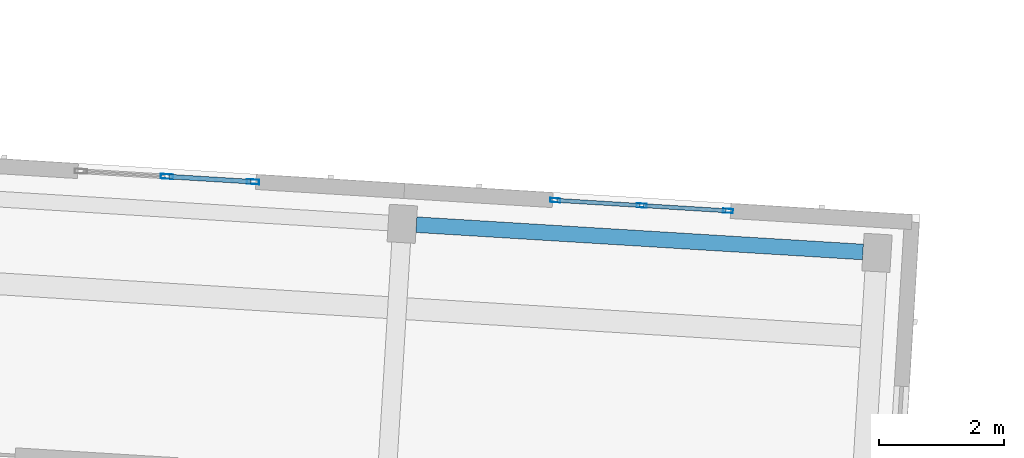
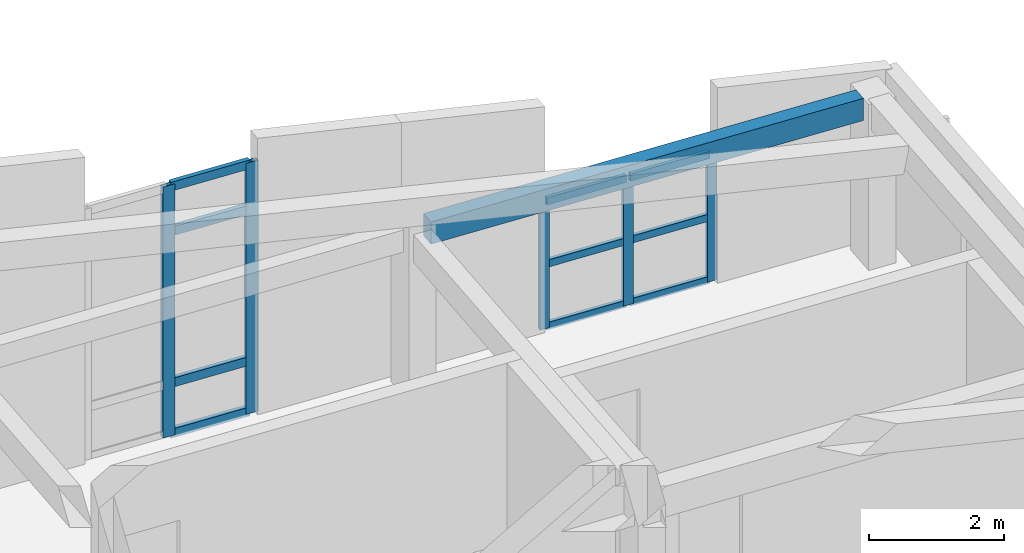
# One storey, part 9 of 45: 15 members, 1 beam, 2 elements without a shape of their own.
"""IFC4 building model written with IfcOpenShell, lengths in metres."""

from ifc_helpers import new_model, si_unit, direction, frame, origin, origin_2d, place, context, subcontext, project, spatial, rectangle, hollow_rectangle, extrude, material, material_profile, profile_set, type_object, element, aggregate, save


model = new_model("IFC4")

# Units and contexts
model_context = context("Model", 3, precision=1e-05, world=origin(), true_north=direction((0.0, 1.0)))
body_context = subcontext(model_context, "Body", "Model", "MODEL_VIEW")
ifc_project = project(units=[si_unit("LENGTHUNIT", "METRE"), si_unit("AREAUNIT", "SQUARE_METRE"), si_unit("VOLUMEUNIT", "CUBIC_METRE"), si_unit("PLANEANGLEUNIT", "RADIAN"), si_unit("MASSUNIT", "GRAM", prefix="KILO")], contexts=[model_context])

# Site, building, storey
site_placement = place(None, origin())
site = spatial("IfcSite", under=ifc_project, at=site_placement, CompositionType="ELEMENT")
building_placement = place(site_placement, origin())
building = spatial("IfcBuilding", under=site, at=building_placement, Name="Kestramere Prow Commons", CompositionType="ELEMENT")
storey_placement = place(building_placement, frame((0.0, 0.0, 31.14990234375)))
storey = spatial("IfcBuildingStorey", under=building, at=storey_placement, Name="L09", CompositionType="ELEMENT", Elevation=31.14990234375)

# Curtain wall, members
ifc_material_1 = material(Name="Anodised Aluminium and Low-E Glass", Category="aluminium")
curtain_wall_type_1 = type_object("IfcCurtainWallType", Name="CW-03 Glazed Curtain Wall 2830x2320", PredefinedType="USERDEFINED", material=ifc_material_1)
curtain_wall_1_placement = place(storey_placement, origin())
curtain_wall_1 = element("IfcCurtainWall", 1, at=curtain_wall_1_placement, inside=storey, type_object=curtain_wall_type_1, Name="Block C L09 Stairwell Vertical Glazing 3", ObjectType="GLAZED CURTAIN WALL", PredefinedType="USERDEFINED")
ifc_material_2 = material(Name="Anodised Aluminium 6063-T6", Category="aluminium")
ifc_material_profile_1 = material_profile(ifc_material_2, hollow_rectangle(XDim=0.06494140625, YDim=0.159912109375, WallThickness=0.00390625, at=origin_2d()), Name="ALU-MUL 65x160")
ifc_profile_set_1 = profile_set([ifc_material_profile_1], Name="Anodised Aluminium 6063-T6")
member_type_1 = type_object("IfcMemberType", Name="CW-MUL-65x160", PredefinedType="MULLION", material=ifc_profile_set_1)
member_1_placement = place(storey_placement, frame((78.313232421875, 65.511962890625, 0.0), z_axis=(0.0, 0.0, 1.0), x_axis=(0.061048399176, 0.998134807007, 0.0)))
member_1 = element("IfcMember", 2, at=member_1_placement, type_object=member_type_1, Name="CW-03 mullion 1", PredefinedType="MULLION", context=body_context, shape_type="SweptSolid", body=[
    extrude(hollow_rectangle(XDim=0.06494140625, YDim=0.159912109375, WallThickness=0.00390625, at=origin_2d()), origin(), (0.0, 0.0, 1.0), 2.320068359375),
])
member_2_placement = place(storey_placement, frame((79.693115234375, 65.427490234375, 0.0), z_axis=(0.0, 0.0, 1.0), x_axis=(0.061048399176, 0.998134807007, 0.0)))
member_2 = element("IfcMember", 3, at=member_2_placement, type_object=member_type_1, Name="CW-03 mullion 2", PredefinedType="MULLION", context=body_context, shape_type="SweptSolid", body=[
    extrude(hollow_rectangle(XDim=0.06494140625, YDim=0.159912109375, WallThickness=0.00390625, at=origin_2d()), origin(), (0.0, 0.0, 1.0), 2.320068359375),
])
member_3_placement = place(storey_placement, frame((81.072998046875, 65.34326171875, 0.0), z_axis=(0.0, 0.0, 1.0), x_axis=(0.061048399176, 0.998134807007, 0.0)))
member_3 = element("IfcMember", 4, at=member_3_placement, type_object=member_type_1, Name="CW-03 mullion 3", PredefinedType="MULLION", context=body_context, shape_type="SweptSolid", body=[
    extrude(hollow_rectangle(XDim=0.06494140625, YDim=0.159912109375, WallThickness=0.00390625, at=origin_2d()), origin(), (0.0, 0.0, 1.0), 2.320068359375),
])

curtain_wall_type_2 = type_object("IfcCurtainWallType", Name="CW-08 Glazed Curtain Wall 2830x4540", PredefinedType="USERDEFINED", material=ifc_material_1)
curtain_wall_2_placement = place(storey_placement, origin())
curtain_wall_2 = element("IfcCurtainWall", 5, at=curtain_wall_2_placement, inside=storey, type_object=curtain_wall_type_2, Name="Block C L09 Stairwell Vertical Glazing 2", ObjectType="GLAZED CURTAIN WALL", PredefinedType="USERDEFINED")
ifc_material_profile_2 = material_profile(ifc_material_2, hollow_rectangle(XDim=0.074951171875, YDim=0.199951171875, WallThickness=0.0048828125, at=origin_2d()), Name="ALU-MUL 75x200")
ifc_profile_set_2 = profile_set([ifc_material_profile_2], Name="Anodised Aluminium 6063-T6")
member_type_2 = type_object("IfcMemberType", Name="CW-MUL-75x200", PredefinedType="MULLION", material=ifc_profile_set_2)
member_4_placement = place(storey_placement, frame((72.107421875, 65.8916015625, 0.0), z_axis=(0.0, 0.0, 1.0), x_axis=(0.061048420708, 0.99813480569, 0.0)))
member_4 = element("IfcMember", 6, at=member_4_placement, type_object=member_type_2, Name="CW-08 mullion 2", PredefinedType="MULLION", context=body_context, shape_type="SweptSolid", body=[
    extrude(hollow_rectangle(XDim=0.074951171875, YDim=0.199951171875, WallThickness=0.0048828125, at=origin_2d()), origin(), (0.0, 0.0, 1.0), 4.535400390625),
])
member_5_placement = place(storey_placement, frame((73.482177734375, 65.807373046875, 0.0), z_axis=(0.0, 0.0, 1.0), x_axis=(0.061048420708, 0.99813480569, 0.0)))
member_5 = element("IfcMember", 7, at=member_5_placement, type_object=member_type_2, Name="CW-08 mullion 3", PredefinedType="MULLION", context=body_context, shape_type="SweptSolid", body=[
    extrude(hollow_rectangle(XDim=0.074951171875, YDim=0.199951171875, WallThickness=0.0048828125, at=origin_2d()), origin(), (0.0, 0.0, 1.0), 4.535400390625),
])

# Member
ifc_material_profile_3 = material_profile(ifc_material_2, hollow_rectangle(XDim=0.06494140625, YDim=0.1298828125, WallThickness=0.00390625, at=origin_2d()), Name="ALU-TRN 65x130")
ifc_profile_set_3 = profile_set([ifc_material_profile_3], Name="Anodised Aluminium 6063-T6")
member_type_3 = type_object("IfcMemberType", Name="CW-TRN-65x130", PredefinedType="USERDEFINED", material=ifc_profile_set_3)
member_6_placement = place(storey_placement, frame((78.345703125, 65.510009765625, 0.03271484375), z_axis=(0.99812826429, -0.061155277983, 0.0), x_axis=(0.061155277983, 0.99812826429, 0.0)))
member_6 = element("IfcMember", 8, at=member_6_placement, type_object=member_type_3, Name="CW-03 transom 1.1", ObjectType="TRANSOM", PredefinedType="USERDEFINED", context=body_context, shape_type="SweptSolid", body=[
    extrude(hollow_rectangle(XDim=0.06494140625, YDim=0.1298828125, WallThickness=0.00390625, at=origin_2d()), origin(), (0.0, 0.0, 1.0), 1.3173828125),
])

member_7_placement = place(storey_placement, frame((78.345703125, 65.510009765625, 1.16015625), z_axis=(0.99812826429, -0.061155277983, 0.0), x_axis=(0.061155277983, 0.99812826429, 0.0)))
member_7 = element("IfcMember", 9, at=member_7_placement, type_object=member_type_3, Name="CW-03 transom 1.2", ObjectType="TRANSOM", PredefinedType="USERDEFINED", context=body_context, shape_type="SweptSolid", body=[
    extrude(hollow_rectangle(XDim=0.06494140625, YDim=0.1298828125, WallThickness=0.00390625, at=origin_2d()), origin(), (0.0, 0.0, 1.0), 1.3173828125),
])

member_8_placement = place(storey_placement, frame((78.345703125, 65.510009765625, 2.28759765625), z_axis=(0.99812826429, -0.061155277983, 0.0), x_axis=(0.061155277983, 0.99812826429, 0.0)))
member_8 = element("IfcMember", 10, at=member_8_placement, type_object=member_type_3, Name="CW-03 transom 1.3", ObjectType="TRANSOM", PredefinedType="USERDEFINED", context=body_context, shape_type="SweptSolid", body=[
    extrude(hollow_rectangle(XDim=0.06494140625, YDim=0.1298828125, WallThickness=0.00390625, at=origin_2d()), origin(), (0.0, 0.0, 1.0), 1.3173828125),
])

member_9_placement = place(storey_placement, frame((79.7255859375, 65.425537109375, 0.03271484375), z_axis=(0.998139559366, -0.06097064891, 0.0), x_axis=(0.06097064891, 0.998139559366, 0.0)))
member_9 = element("IfcMember", 11, at=member_9_placement, type_object=member_type_3, Name="CW-03 transom 2.1", ObjectType="TRANSOM", PredefinedType="USERDEFINED", context=body_context, shape_type="SweptSolid", body=[
    extrude(hollow_rectangle(XDim=0.06494140625, YDim=0.1298828125, WallThickness=0.00390625, at=origin_2d()), origin(), (0.0, 0.0, 1.0), 1.3173828125),
])

member_10_placement = place(storey_placement, frame((79.7255859375, 65.425537109375, 1.16015625), z_axis=(0.998139559366, -0.06097064891, 0.0), x_axis=(0.06097064891, 0.998139559366, 0.0)))
member_10 = element("IfcMember", 12, at=member_10_placement, type_object=member_type_3, Name="CW-03 transom 2.2", ObjectType="TRANSOM", PredefinedType="USERDEFINED", context=body_context, shape_type="SweptSolid", body=[
    extrude(hollow_rectangle(XDim=0.06494140625, YDim=0.1298828125, WallThickness=0.00390625, at=origin_2d()), origin(), (0.0, 0.0, 1.0), 1.3173828125),
])

member_11_placement = place(storey_placement, frame((79.7255859375, 65.425537109375, 2.28759765625), z_axis=(0.998139559366, -0.06097064891, 0.0), x_axis=(0.06097064891, 0.998139559366, 0.0)))
member_11 = element("IfcMember", 13, at=member_11_placement, type_object=member_type_3, Name="CW-03 transom 2.3", ObjectType="TRANSOM", PredefinedType="USERDEFINED", context=body_context, shape_type="SweptSolid", body=[
    extrude(hollow_rectangle(XDim=0.06494140625, YDim=0.1298828125, WallThickness=0.00390625, at=origin_2d()), origin(), (0.0, 0.0, 1.0), 1.3173828125),
])

aggregate(curtain_wall_1, [member_1, member_2, member_3, member_6, member_7, member_8, member_9, member_10, member_11])

ifc_material_profile_4 = material_profile(ifc_material_2, hollow_rectangle(XDim=0.074951171875, YDim=0.159912109375, WallThickness=0.0048828125, at=origin_2d()), Name="ALU-TRN 75x160")
ifc_profile_set_4 = profile_set([ifc_material_profile_4], Name="Anodised Aluminium 6063-T6")
member_type_4 = type_object("IfcMemberType", Name="CW-TRN-75x160", PredefinedType="USERDEFINED", material=ifc_profile_set_4)
member_12_placement = place(storey_placement, frame((72.144775390625, 65.88916015625, 0.03759765625), z_axis=(0.998142682054, -0.060919506416, 0.0), x_axis=(0.060919506416, 0.998142682054, 0.0)))
member_12 = element("IfcMember", 14, at=member_12_placement, type_object=member_type_4, Name="CW-08 transom 2.1", ObjectType="TRANSOM", PredefinedType="USERDEFINED", context=body_context, shape_type="SweptSolid", body=[
    extrude(hollow_rectangle(XDim=0.074951171875, YDim=0.159912109375, WallThickness=0.0048828125, at=origin_2d()), origin(), (0.0, 0.0, 1.0), 1.302490234375),
])

member_13_placement = place(storey_placement, frame((72.144775390625, 65.88916015625, 0.9501953125), z_axis=(0.998142682054, -0.060919506416, 0.0), x_axis=(0.060919506416, 0.998142682054, 0.0)))
member_13 = element("IfcMember", 15, at=member_13_placement, type_object=member_type_4, Name="CW-08 transom 2.2", ObjectType="TRANSOM", PredefinedType="USERDEFINED", context=body_context, shape_type="SweptSolid", body=[
    extrude(hollow_rectangle(XDim=0.074951171875, YDim=0.159912109375, WallThickness=0.0048828125, at=origin_2d()), origin(), (0.0, 0.0, 1.0), 1.302490234375),
])

member_14_placement = place(storey_placement, frame((72.144775390625, 65.88916015625, 3.68505859375), z_axis=(0.998142682054, -0.060919506416, 0.0), x_axis=(0.060919506416, 0.998142682054, 0.0)))
member_14 = element("IfcMember", 16, at=member_14_placement, type_object=member_type_4, Name="CW-08 transom 2.3", ObjectType="TRANSOM", PredefinedType="USERDEFINED", context=body_context, shape_type="SweptSolid", body=[
    extrude(hollow_rectangle(XDim=0.074951171875, YDim=0.159912109375, WallThickness=0.0048828125, at=origin_2d()), origin(), (0.0, 0.0, 1.0), 1.302490234375),
])

member_15_placement = place(storey_placement, frame((72.144775390625, 65.88916015625, 4.498046875), z_axis=(0.998142682054, -0.060919506416, 0.0), x_axis=(0.060919506416, 0.998142682054, 0.0)))
member_15 = element("IfcMember", 17, at=member_15_placement, type_object=member_type_4, Name="CW-08 transom 2.4", ObjectType="TRANSOM", PredefinedType="USERDEFINED", context=body_context, shape_type="SweptSolid", body=[
    extrude(hollow_rectangle(XDim=0.074951171875, YDim=0.159912109375, WallThickness=0.0048828125, at=origin_2d()), origin(), (0.0, 0.0, 1.0), 1.302490234375),
])

aggregate(curtain_wall_2, [member_4, member_5, member_12, member_13, member_14, member_15])

# Beam
ifc_material_3 = material(Name="Precast concrete C40/50", Category="concrete")
ifc_material_profile_5 = material_profile(ifc_material_3, rectangle(XDim=0.25, YDim=0.39990234375, at=origin_2d()), Name="PC-SP 250x400")
ifc_profile_set_5 = profile_set([ifc_material_profile_5], Name="Precast concrete C40/50")
beam_type = type_object("IfcBeamType", Name="SP-EXT-01 PC-SP 250x400", PredefinedType="SPANDREL", material=ifc_profile_set_5)
beam_placement = place(storey_placement, frame((76.0927734375, 65.121826171875, 2.800048828125), z_axis=(0.998134602239, -0.061051747017, 0.0), x_axis=(0.061051747017, 0.998134602239, 0.0)))
element("IfcBeam", 18, at=beam_placement, inside=storey, type_object=beam_type, Name="Block C L09 Longitudinal Beam 4-3", PredefinedType="SPANDREL", context=body_context, shape_type="SweptSolid", body=[
    extrude(rectangle(XDim=0.25, YDim=0.39990234375, at=origin_2d()), origin(), (0.0, 0.0, 1.0), 7.150146484375),
])

save(model, "model.ifc")
